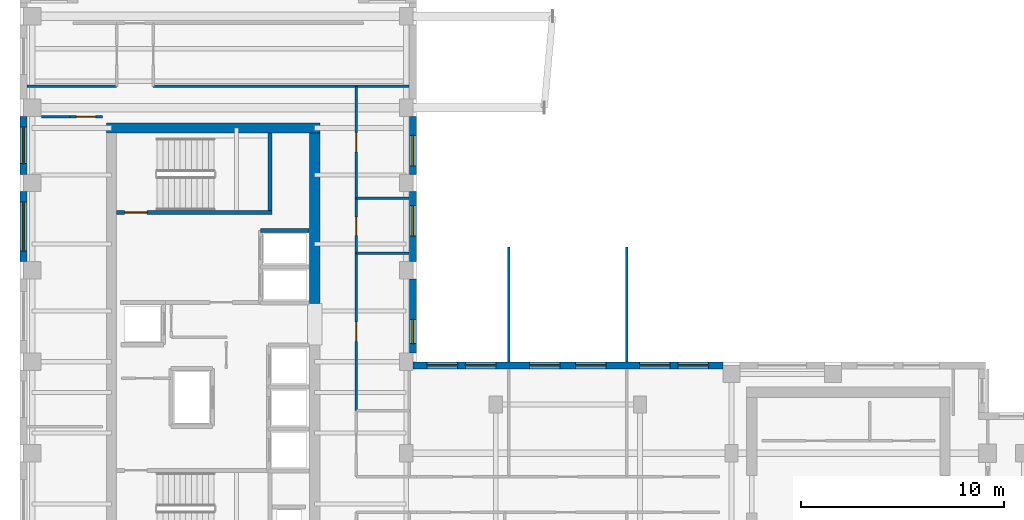
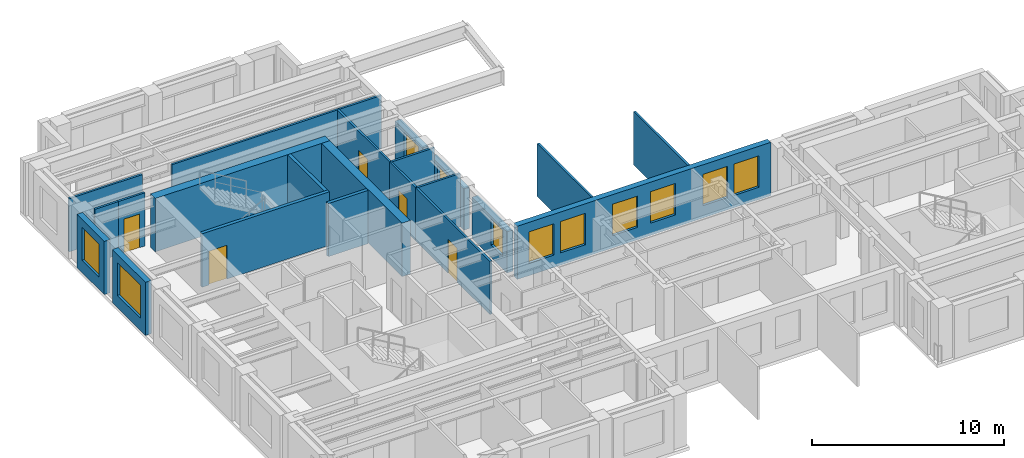
# One storey, part 6 of 11: 22 walls, 11 windows, 5 doors, 16 openings.
"""IFC4 building model written with IfcOpenShell, lengths in metres."""

from ifc_helpers import new_model, si_unit, direction, frame, frame_2d, origin, place, context, subcontext, project, spatial, rectangle, extrude, source, transform, mapped, material, layer, layer_set, type_object, element, fill, save


model = new_model("IFC4")

# Units and contexts
model_context = context("Model", 3, precision=1e-05, world=origin(), true_north=direction((0.0, 1.0)))
body_context = subcontext(model_context, "Body", "Model", "MODEL_VIEW")
ifc_project = project(units=[si_unit("LENGTHUNIT", "METRE"), si_unit("AREAUNIT", "SQUARE_METRE"), si_unit("VOLUMEUNIT", "CUBIC_METRE"), si_unit("PLANEANGLEUNIT", "RADIAN"), si_unit("MASSUNIT", "GRAM", prefix="KILO")], contexts=[model_context])

# Site, building, storey
site_placement = place(None, origin())
site = spatial("IfcSite", under=ifc_project, at=site_placement, CompositionType="ELEMENT")
building_placement = place(site_placement, origin())
building = spatial("IfcBuilding", under=site, at=building_placement, Name="Kharzan Plaza Tower", CompositionType="ELEMENT")
storey_placement = place(building_placement, frame((0.0, 0.0, 219.60009765625)))
storey = spatial("IfcBuildingStorey", under=building, at=storey_placement, Name="L59", CompositionType="ELEMENT", Elevation=219.60009765625)

# Wall, opening, window
ifc_material_1 = material(Name="Concrete C40/50", Category="concrete")
ifc_layer_1 = layer(ifc_material_1, 0.35009765625)
ifc_layer_set_1 = layer_set([ifc_layer_1], Name="Concrete C40/50")
wall_type_1 = type_object("IfcWallType", Name="WL-EXT-MAS-Z4", PredefinedType="SOLIDWALL", material=ifc_layer_set_1)
wall_1_placement = place(storey_placement, frame((0.175048828125, 30.076904296875, 0.0), z_axis=(0.0, 0.0, 1.0), x_axis=(0.0, -1.0, 0.0)))
wall_1 = element("IfcWall", 1, at=wall_1_placement, inside=storey, type_object=wall_type_1, Name="L59 Masonry-Frame Exterior Wall 11", PredefinedType="SOLIDWALL", context=body_context, shape_type="SweptSolid", body=[
    extrude(rectangle(XDim=2.85400390625, YDim=0.35009765625, at=frame_2d((1.427001953125, 0.0))), origin(), (0.0, 0.0, 1.0), 3.385009765625),
])
opening_1_placement = place(wall_1_placement, frame((0.527099609375, 0.0, 0.780029296875)))
opening_1 = element("IfcOpeningElement", 2, at=opening_1_placement, cuts=wall_1, Name="Opening W1", PredefinedType="OPENING", context=body_context, shape_type="SweptSolid", body=[
    extrude(rectangle(XDim=1.800048828125, YDim=2.10009765625, at=frame_2d((0.89990234375, 1.050048828125))), frame((0.0, 0.18505859375, 0.0), z_axis=(0.0, -1.0, 0.0), x_axis=(1.0, 0.0, 0.0)), (0.0, 0.0, 1.0), 0.3701171875),
])
ifc_material_2 = material(Name="Low-E Double Glazing", Category="glass")
window_type_1 = type_object("IfcWindowType", Name="WN-REC-1800x2100", PartitioningType="SINGLE_PANEL", PredefinedType="WINDOW", material=ifc_material_2)
shared_shape_1 = source(origin(), body_context, "Body", "SweptSolid", [
    extrude(rectangle(XDim=1.800048828125, YDim=2.10009765625, at=frame_2d((0.89990234375, 1.050048828125))), frame((0.0, 0.030029296875, 0.0), z_axis=(0.0, -1.0, 0.0), x_axis=(1.0, 0.0, 0.0)), (0.0, 0.0, 1.0), 0.06005859375),
])
window_1_placement = place(opening_1_placement, origin())
window_1 = element("IfcWindow", 3, at=window_1_placement, inside=storey, type_object=window_type_1, Name="L59 Recessed Solar-Control Window 11-1", OverallHeight=2.10009765625, OverallWidth=1.800048828125, PartitioningType="SINGLE_PANEL", PredefinedType="WINDOW", context=body_context, shape_type="MappedRepresentation", body=[
    mapped(shared_shape_1, transform((0.0, 0.0, 0.0), x_axis=(1.0, 0.0, 0.0), y_axis=(0.0, 1.0, 0.0), z_axis=(0.0, 0.0, 1.0))),
])
fill(opening_1, window_1)

wall_2_placement = place(storey_placement, frame((0.175048828125, 26.376953125, 0.0), z_axis=(0.0, 0.0, 1.0), x_axis=(0.0, -1.0, 0.0)))
wall_2 = element("IfcWall", 4, at=wall_2_placement, inside=storey, type_object=wall_type_1, Name="L59 Masonry-Frame Exterior Wall 12", PredefinedType="SOLIDWALL", context=body_context, shape_type="SweptSolid", body=[
    extrude(rectangle(XDim=3.453857421875, YDim=0.35009765625, at=frame_2d((1.72705078125, 0.0))), origin(), (0.0, 0.0, 1.0), 3.385009765625),
])
opening_2_placement = place(wall_2_placement, frame((0.527099609375, 0.0, 0.780029296875)))
opening_2 = element("IfcOpeningElement", 5, at=opening_2_placement, cuts=wall_2, Name="Opening W2", PredefinedType="OPENING", context=body_context, shape_type="SweptSolid", body=[
    extrude(rectangle(XDim=2.39990234375, YDim=2.10009765625, at=frame_2d((1.199951171875, 1.050048828125))), frame((0.0, 0.18505859375, 0.0), z_axis=(0.0, -1.0, 0.0), x_axis=(1.0, 0.0, 0.0)), (0.0, 0.0, 1.0), 0.3701171875),
])
window_type_2 = type_object("IfcWindowType", Name="WN-REC-2400x2100", PartitioningType="SINGLE_PANEL", PredefinedType="WINDOW", material=ifc_material_2)
shared_shape_2 = source(origin(), body_context, "Body", "SweptSolid", [
    extrude(rectangle(XDim=2.39990234375, YDim=2.10009765625, at=frame_2d((1.199951171875, 1.050048828125))), frame((0.0, 0.030029296875, 0.0), z_axis=(0.0, -1.0, 0.0), x_axis=(1.0, 0.0, 0.0)), (0.0, 0.0, 1.0), 0.06005859375),
])
window_2_placement = place(opening_2_placement, origin())
window_2 = element("IfcWindow", 6, at=window_2_placement, inside=storey, type_object=window_type_2, Name="L59 Wide Recessed Solar-Control Window 12-1", OverallHeight=2.10009765625, OverallWidth=2.39990234375, PartitioningType="SINGLE_PANEL", PredefinedType="WINDOW", context=body_context, shape_type="MappedRepresentation", body=[
    mapped(shared_shape_2, transform((0.0, 0.0, 0.0), x_axis=(1.0, 0.0, 0.0), y_axis=(0.0, 1.0, 0.0), z_axis=(0.0, 0.0, 1.0))),
])
fill(opening_2, window_2)

# Wall, openings, windows
wall_3_placement = place(storey_placement, frame((34.576904296875, 17.824951171875, 0.0), z_axis=(0.0, 0.0, 1.0), x_axis=(-1.0, 0.0, 0.0)))
wall_3 = element("IfcWall", 7, at=wall_3_placement, inside=storey, type_object=wall_type_1, Name="L59 Masonry-Frame Exterior Wall 41", PredefinedType="SOLIDWALL", context=body_context, shape_type="SweptSolid", body=[
    extrude(rectangle(XDim=15.25390625, YDim=0.35009765625, at=frame_2d((7.626953125, 0.0))), origin(), (0.0, 0.0, 1.0), 3.385009765625),
])
opening_3_placement = place(wall_3_placement, frame((0.705810546875, 0.0, 0.780029296875)))
opening_3 = element("IfcOpeningElement", 8, at=opening_3_placement, cuts=wall_3, Name="Opening W5", PredefinedType="OPENING", context=body_context, shape_type="SweptSolid", body=[
    extrude(rectangle(XDim=1.5, YDim=2.0, at=frame_2d((0.75, 1.0))), frame((0.0, 0.18505859375, 0.0), z_axis=(0.0, -1.0, 0.0), x_axis=(1.0, 0.0, 0.0)), (0.0, 0.0, 1.0), 0.3701171875),
])
opening_4_placement = place(wall_3_placement, frame((2.59130859375, 0.0, 0.780029296875)))
opening_4 = element("IfcOpeningElement", 9, at=opening_4_placement, cuts=wall_3, Name="Opening W5", PredefinedType="OPENING", context=body_context, shape_type="SweptSolid", body=[
    extrude(rectangle(XDim=1.5, YDim=2.0, at=frame_2d((0.75, 1.0))), frame((0.0, 0.18505859375, 0.0), z_axis=(0.0, -1.0, 0.0), x_axis=(1.0, 0.0, 0.0)), (0.0, 0.0, 1.0), 0.3701171875),
])
opening_5_placement = place(wall_3_placement, frame((5.74365234375, 0.0, 0.780029296875)))
opening_5 = element("IfcOpeningElement", 10, at=opening_5_placement, cuts=wall_3, Name="Opening W5", PredefinedType="OPENING", context=body_context, shape_type="SweptSolid", body=[
    extrude(rectangle(XDim=1.5, YDim=2.0, at=frame_2d((0.75, 1.0))), frame((0.0, 0.18505859375, 0.0), z_axis=(0.0, -1.0, 0.0), x_axis=(1.0, 0.0, 0.0)), (0.0, 0.0, 1.0), 0.3701171875),
])
opening_6_placement = place(wall_3_placement, frame((8.01025390625, 0.0, 0.780029296875)))
opening_6 = element("IfcOpeningElement", 11, at=opening_6_placement, cuts=wall_3, Name="Opening W5", PredefinedType="OPENING", context=body_context, shape_type="SweptSolid", body=[
    extrude(rectangle(XDim=1.5, YDim=2.0, at=frame_2d((0.75, 1.0))), frame((0.0, 0.18505859375, 0.0), z_axis=(0.0, -1.0, 0.0), x_axis=(1.0, 0.0, 0.0)), (0.0, 0.0, 1.0), 0.3701171875),
])
opening_7_placement = place(wall_3_placement, frame((11.16259765625, 0.0, 0.780029296875)))
opening_7 = element("IfcOpeningElement", 12, at=opening_7_placement, cuts=wall_3, Name="Opening W5", PredefinedType="OPENING", context=body_context, shape_type="SweptSolid", body=[
    extrude(rectangle(XDim=1.5, YDim=2.0, at=frame_2d((0.75, 1.0))), frame((0.0, 0.18505859375, 0.0), z_axis=(0.0, -1.0, 0.0), x_axis=(1.0, 0.0, 0.0)), (0.0, 0.0, 1.0), 0.3701171875),
])
opening_8_placement = place(wall_3_placement, frame((13.04833984375, 0.0, 0.780029296875)))
opening_8 = element("IfcOpeningElement", 13, at=opening_8_placement, cuts=wall_3, Name="Opening W5", PredefinedType="OPENING", context=body_context, shape_type="SweptSolid", body=[
    extrude(rectangle(XDim=1.5, YDim=2.0, at=frame_2d((0.75, 1.0))), frame((0.0, 0.18505859375, 0.0), z_axis=(0.0, -1.0, 0.0), x_axis=(1.0, 0.0, 0.0)), (0.0, 0.0, 1.0), 0.3701171875),
])
window_type_3 = type_object("IfcWindowType", Name="WN-SLT-1500x2000", PartitioningType="SINGLE_PANEL", PredefinedType="WINDOW", material=ifc_material_2)
shared_shape_3 = source(origin(), body_context, "Body", "SweptSolid", [
    extrude(rectangle(XDim=1.5, YDim=2.0, at=frame_2d((0.75, 1.0))), frame((0.0, 0.030029296875, 0.0), z_axis=(0.0, -1.0, 0.0), x_axis=(1.0, 0.0, 0.0)), (0.0, 0.0, 1.0), 0.06005859375),
])
window_3_placement = place(opening_3_placement, origin())
window_3 = element("IfcWindow", 14, at=window_3_placement, inside=storey, type_object=window_type_3, Name="L59 Recessed Solar-Control Window 41-1", OverallHeight=2.0, OverallWidth=1.5, PartitioningType="SINGLE_PANEL", PredefinedType="WINDOW", context=body_context, shape_type="MappedRepresentation", body=[
    mapped(shared_shape_3, transform((0.0, 0.0, 0.0), x_axis=(1.0, 0.0, 0.0), y_axis=(0.0, 1.0, 0.0), z_axis=(0.0, 0.0, 1.0))),
])
fill(opening_3, window_3)
window_4_placement = place(opening_4_placement, origin())
window_4 = element("IfcWindow", 15, at=window_4_placement, inside=storey, type_object=window_type_3, Name="L59 Recessed Solar-Control Window 41-2", OverallHeight=2.0, OverallWidth=1.5, PartitioningType="SINGLE_PANEL", PredefinedType="WINDOW", context=body_context, shape_type="MappedRepresentation", body=[
    mapped(shared_shape_3, transform((0.0, 0.0, 0.0), x_axis=(1.0, 0.0, 0.0), y_axis=(0.0, 1.0, 0.0), z_axis=(0.0, 0.0, 1.0))),
])
fill(opening_4, window_4)
window_5_placement = place(opening_5_placement, origin())
window_5 = element("IfcWindow", 16, at=window_5_placement, inside=storey, type_object=window_type_3, Name="L59 Recessed Solar-Control Window 41-3", OverallHeight=2.0, OverallWidth=1.5, PartitioningType="SINGLE_PANEL", PredefinedType="WINDOW", context=body_context, shape_type="MappedRepresentation", body=[
    mapped(shared_shape_3, transform((0.0, 0.0, 0.0), x_axis=(1.0, 0.0, 0.0), y_axis=(0.0, 1.0, 0.0), z_axis=(0.0, 0.0, 1.0))),
])
fill(opening_5, window_5)
window_6_placement = place(opening_6_placement, origin())
window_6 = element("IfcWindow", 17, at=window_6_placement, inside=storey, type_object=window_type_3, Name="L59 Recessed Solar-Control Window 41-4", OverallHeight=2.0, OverallWidth=1.5, PartitioningType="SINGLE_PANEL", PredefinedType="WINDOW", context=body_context, shape_type="MappedRepresentation", body=[
    mapped(shared_shape_3, transform((0.0, 0.0, 0.0), x_axis=(1.0, 0.0, 0.0), y_axis=(0.0, 1.0, 0.0), z_axis=(0.0, 0.0, 1.0))),
])
fill(opening_6, window_6)
window_7_placement = place(opening_7_placement, origin())
window_7 = element("IfcWindow", 18, at=window_7_placement, inside=storey, type_object=window_type_3, Name="L59 Recessed Solar-Control Window 41-5", OverallHeight=2.0, OverallWidth=1.5, PartitioningType="SINGLE_PANEL", PredefinedType="WINDOW", context=body_context, shape_type="MappedRepresentation", body=[
    mapped(shared_shape_3, transform((0.0, 0.0, 0.0), x_axis=(1.0, 0.0, 0.0), y_axis=(0.0, 1.0, 0.0), z_axis=(0.0, 0.0, 1.0))),
])
fill(opening_7, window_7)
window_8_placement = place(opening_8_placement, origin())
window_8 = element("IfcWindow", 19, at=window_8_placement, inside=storey, type_object=window_type_3, Name="L59 Recessed Solar-Control Window 41-6", OverallHeight=2.0, OverallWidth=1.5, PartitioningType="SINGLE_PANEL", PredefinedType="WINDOW", context=body_context, shape_type="MappedRepresentation", body=[
    mapped(shared_shape_3, transform((0.0, 0.0, 0.0), x_axis=(1.0, 0.0, 0.0), y_axis=(0.0, 1.0, 0.0), z_axis=(0.0, 0.0, 1.0))),
])
fill(opening_8, window_8)

# Wall, opening, window
wall_4_placement = place(storey_placement, frame((19.324951171875, 18.423095703125, 0.0), z_axis=(0.0, 0.0, 1.0), x_axis=(0.0, 1.0, 0.0)))
wall_4 = element("IfcWall", 20, at=wall_4_placement, inside=storey, type_object=wall_type_1, Name="L59 Masonry-Frame Exterior Wall 42", PredefinedType="SOLIDWALL", context=body_context, shape_type="SweptSolid", body=[
    extrude(rectangle(XDim=3.65380859375, YDim=0.35009765625, at=frame_2d((1.826904296875, 0.0))), origin(), (0.0, 0.0, 1.0), 2.618896484375),
])
opening_9_placement = place(wall_4_placement, frame((0.469970703125, 0.0, 0.780029296875)))
opening_9 = element("IfcOpeningElement", 21, at=opening_9_placement, cuts=wall_4, Name="Opening W3", PredefinedType="OPENING", context=body_context, shape_type="SweptSolid", body=[
    extrude(rectangle(XDim=1.199951171875, YDim=1.658935546875, at=frame_2d((0.60009765625, 0.82958984375))), frame((0.0, 0.18505859375, 0.0), z_axis=(0.0, -1.0, 0.0), x_axis=(1.0, 0.0, 0.0)), (0.0, 0.0, 1.0), 0.3701171875),
])
window_type_4 = type_object("IfcWindowType", Name="WN-REC-1200x2100", PartitioningType="SINGLE_PANEL", PredefinedType="WINDOW", material=ifc_material_2)
shared_shape_4 = source(origin(), body_context, "Body", "SweptSolid", [
    extrude(rectangle(XDim=1.199951171875, YDim=1.658935546875, at=frame_2d((0.60009765625, 0.82958984375))), frame((0.0, 0.030029296875, 0.0), z_axis=(0.0, -1.0, 0.0), x_axis=(1.0, 0.0, 0.0)), (0.0, 0.0, 1.0), 0.06005859375),
])
window_9_placement = place(opening_9_placement, origin())
window_9 = element("IfcWindow", 22, at=window_9_placement, inside=storey, type_object=window_type_4, Name="L59 Recessed Solar-Control Window 42-1", OverallHeight=1.658935546875, OverallWidth=1.199951171875, PartitioningType="SINGLE_PANEL", PredefinedType="WINDOW", context=body_context, shape_type="MappedRepresentation", body=[
    mapped(shared_shape_4, transform((0.0, 0.0, 0.0), x_axis=(1.0, 0.0, 0.0), y_axis=(0.0, 1.0, 0.0), z_axis=(0.0, 0.0, 1.0))),
])
fill(opening_9, window_9)

wall_5_placement = place(storey_placement, frame((19.324951171875, 22.923095703125, 0.0), z_axis=(0.0, 0.0, 1.0), x_axis=(0.0, 1.0, 0.0)))
wall_5 = element("IfcWall", 23, at=wall_5_placement, inside=storey, type_object=wall_type_1, Name="L59 Masonry-Frame Exterior Wall 43", PredefinedType="SOLIDWALL", context=body_context, shape_type="SweptSolid", body=[
    extrude(rectangle(XDim=3.453857421875, YDim=0.35009765625, at=frame_2d((1.72705078125, 0.0))), origin(), (0.0, 0.0, 1.0), 2.618896484375),
])
opening_10_placement = place(wall_5_placement, frame((1.255615234375, 0.0, 0.780029296875)))
opening_10 = element("IfcOpeningElement", 24, at=opening_10_placement, cuts=wall_5, Name="Opening W5", PredefinedType="OPENING", context=body_context, shape_type="SweptSolid", body=[
    extrude(rectangle(XDim=1.5, YDim=1.658935546875, at=frame_2d((0.75, 0.82958984375))), frame((0.0, 0.18505859375, 0.0), z_axis=(0.0, -1.0, 0.0), x_axis=(1.0, 0.0, 0.0)), (0.0, 0.0, 1.0), 0.3701171875),
])
shared_shape_5 = source(origin(), body_context, "Body", "SweptSolid", [
    extrude(rectangle(XDim=1.5, YDim=1.658935546875, at=frame_2d((0.75, 0.82958984375))), frame((0.0, 0.030029296875, 0.0), z_axis=(0.0, -1.0, 0.0), x_axis=(1.0, 0.0, 0.0)), (0.0, 0.0, 1.0), 0.06005859375),
])
window_10_placement = place(opening_10_placement, origin())
window_10 = element("IfcWindow", 25, at=window_10_placement, inside=storey, type_object=window_type_3, Name="L59 Recessed Solar-Control Window 43-1", OverallHeight=1.658935546875, OverallWidth=1.5, PartitioningType="SINGLE_PANEL", PredefinedType="WINDOW", context=body_context, shape_type="MappedRepresentation", body=[
    mapped(shared_shape_5, transform((0.0, 0.0, 0.0), x_axis=(1.0, 0.0, 0.0), y_axis=(0.0, 1.0, 0.0), z_axis=(0.0, 0.0, 1.0))),
])
fill(opening_10, window_10)

wall_6_placement = place(storey_placement, frame((19.324951171875, 27.222900390625, 0.0), z_axis=(0.0, 0.0, 1.0), x_axis=(0.0, 1.0, 0.0)))
wall_6 = element("IfcWall", 26, at=wall_6_placement, inside=storey, type_object=wall_type_1, Name="L59 Masonry-Frame Exterior Wall 44", PredefinedType="SOLIDWALL", context=body_context, shape_type="SweptSolid", body=[
    extrude(rectangle(XDim=2.85400390625, YDim=0.35009765625, at=frame_2d((1.427001953125, 0.0))), origin(), (0.0, 0.0, 1.0), 2.618896484375),
])
opening_11_placement = place(wall_6_placement, frame((0.411376953125, 0.0, 0.780029296875)))
opening_11 = element("IfcOpeningElement", 27, at=opening_11_placement, cuts=wall_6, Name="Opening W5", PredefinedType="OPENING", context=body_context, shape_type="SweptSolid", body=[
    extrude(rectangle(XDim=1.5, YDim=1.658935546875, at=frame_2d((0.75, 0.82958984375))), frame((0.0, 0.18505859375, 0.0), z_axis=(0.0, -1.0, 0.0), x_axis=(1.0, 0.0, 0.0)), (0.0, 0.0, 1.0), 0.3701171875),
])
window_11_placement = place(opening_11_placement, origin())
window_11 = element("IfcWindow", 28, at=window_11_placement, inside=storey, type_object=window_type_3, Name="L59 Recessed Solar-Control Window 44-1", OverallHeight=1.658935546875, OverallWidth=1.5, PartitioningType="SINGLE_PANEL", PredefinedType="WINDOW", context=body_context, shape_type="MappedRepresentation", body=[
    mapped(shared_shape_5, transform((0.0, 0.0, 0.0), x_axis=(1.0, 0.0, 0.0), y_axis=(0.0, 1.0, 0.0), z_axis=(0.0, 0.0, 1.0))),
])
fill(opening_11, window_11)

# Wall, opening, door
ifc_material_3 = material(Name="Fire-Rated Gypsum Board Partition", Category="gypsum")
ifc_layer_2 = layer(ifc_material_3, 0.125)
ifc_layer_set_2 = layer_set([ifc_layer_2], Name="Fire-Rated Gypsum Board Partition")
wall_type_2 = type_object("IfcWallType", Name="WL-INT-PART-125", PredefinedType="PARTITIONING", material=ifc_layer_set_2)
wall_7_placement = place(storey_placement, frame((16.550048828125, 15.60009765625, 0.0), z_axis=(0.0, 0.0, 1.0), x_axis=(0.0, 1.0, 0.0)))
wall_7 = element("IfcWall", 29, at=wall_7_placement, inside=storey, type_object=wall_type_2, Name="L59 Interior Partition SH-AEWN2", PredefinedType="PARTITIONING", context=body_context, shape_type="SweptSolid", body=[
    extrude(rectangle(XDim=7.75, YDim=0.125, at=frame_2d((3.875, 0.0))), origin(), (0.0, 0.0, 1.0), 3.385009765625),
])
opening_12_placement = place(wall_7_placement, frame((3.39990234375, 0.0, 0.0)))
opening_12 = element("IfcOpeningElement", 30, at=opening_12_placement, cuts=wall_7, Name="Opening OD1", PredefinedType="OPENING", context=body_context, shape_type="SweptSolid", body=[
    extrude(rectangle(XDim=0.949951171875, YDim=2.14990234375, at=frame_2d((0.47509765625, 1.074951171875))), frame((0.0, 0.072509765625, 0.0), z_axis=(0.0, -1.0, 0.0), x_axis=(1.0, 0.0, 0.0)), (0.0, 0.0, 1.0), 0.14501953125),
])
ifc_material_4 = material(Name="Acoustic Solid-Core Stained Oak", Category="timber")
door_type_1 = type_object("IfcDoorType", Name="DR-OFF-SINGLE", OperationType="NOTDEFINED", PredefinedType="DOOR", material=ifc_material_4)
shared_shape_6 = source(origin(), body_context, "Body", "SweptSolid", [
    extrude(rectangle(XDim=0.949951171875, YDim=2.14990234375, at=frame_2d((0.47509765625, 1.074951171875))), frame((0.0, 0.02490234375, 0.0), z_axis=(0.0, -1.0, 0.0), x_axis=(1.0, 0.0, 0.0)), (0.0, 0.0, 1.0), 0.050048828125),
])
door_1_placement = place(opening_12_placement, origin())
door_1 = element("IfcDoor", 31, at=door_1_placement, inside=storey, type_object=door_type_1, Name="L59 Slot Studio Door", OperationType="SINGLE_SWING_LEFT", OverallHeight=2.14990234375, OverallWidth=0.949951171875, PredefinedType="DOOR", context=body_context, shape_type="MappedRepresentation", body=[
    mapped(shared_shape_6, transform((0.0, 0.0, 0.0), x_axis=(1.0, 0.0, 0.0), y_axis=(0.0, 1.0, 0.0), z_axis=(0.0, 0.0, 1.0))),
])
fill(opening_12, door_1)

wall_8_placement = place(storey_placement, frame((16.550048828125, 26.050048828125, 0.0), z_axis=(0.0, 0.0, 1.0), x_axis=(0.0, 1.0, 0.0)))
wall_8 = element("IfcWall", 32, at=wall_8_placement, inside=storey, type_object=wall_type_2, Name="L59 Interior Partition SH-AEWN3", PredefinedType="PARTITIONING", context=body_context, shape_type="SweptSolid", body=[
    extrude(rectangle(XDim=5.5, YDim=0.125, at=frame_2d((2.75, 0.0))), origin(), (0.0, 0.0, 1.0), 3.385009765625),
])
opening_13_placement = place(wall_8_placement, frame((2.27490234375, 0.0, 0.0)))
opening_13 = element("IfcOpeningElement", 33, at=opening_13_placement, cuts=wall_8, Name="Opening OD1", PredefinedType="OPENING", context=body_context, shape_type="SweptSolid", body=[
    extrude(rectangle(XDim=0.949951171875, YDim=2.14990234375, at=frame_2d((0.47509765625, 1.074951171875))), frame((0.0, 0.072509765625, 0.0), z_axis=(0.0, -1.0, 0.0), x_axis=(1.0, 0.0, 0.0)), (0.0, 0.0, 1.0), 0.14501953125),
])
door_2_placement = place(opening_13_placement, origin())
door_2 = element("IfcDoor", 34, at=door_2_placement, inside=storey, type_object=door_type_1, Name="L59 Staff Tea Point Door", OperationType="SINGLE_SWING_LEFT", OverallHeight=2.14990234375, OverallWidth=0.949951171875, PredefinedType="DOOR", context=body_context, shape_type="MappedRepresentation", body=[
    mapped(shared_shape_6, transform((0.0, 0.0, 0.0), x_axis=(1.0, 0.0, 0.0), y_axis=(0.0, 1.0, 0.0), z_axis=(0.0, 0.0, 1.0))),
])
fill(opening_13, door_2)

wall_9_placement = place(storey_placement, frame((16.550048828125, 23.35009765625, 0.0), z_axis=(0.0, 0.0, 1.0), x_axis=(0.0, 1.0, 0.0)))
wall_9 = element("IfcWall", 35, at=wall_9_placement, inside=storey, type_object=wall_type_2, Name="L59 Interior Partition SH-AEWW", PredefinedType="PARTITIONING", context=body_context, shape_type="SweptSolid", body=[
    extrude(rectangle(XDim=2.699951171875, YDim=0.125, at=frame_2d((1.35009765625, 0.0))), origin(), (0.0, 0.0, 1.0), 3.385009765625),
])
opening_14_placement = place(wall_9_placement, frame((0.875, 0.0, 0.0)))
opening_14 = element("IfcOpeningElement", 36, at=opening_14_placement, cuts=wall_9, Name="Opening WD1", PredefinedType="OPENING", context=body_context, shape_type="SweptSolid", body=[
    extrude(rectangle(XDim=0.89990234375, YDim=2.14990234375, at=frame_2d((0.449951171875, 1.074951171875))), frame((0.0, 0.072509765625, 0.0), z_axis=(0.0, -1.0, 0.0), x_axis=(1.0, 0.0, 0.0)), (0.0, 0.0, 1.0), 0.14501953125),
])
ifc_material_5 = material(Name="Moisture-Resistant Fire-Rated Laminate", Category="timber")
door_type_2 = type_object("IfcDoorType", Name="DR-WC-900", OperationType="NOTDEFINED", PredefinedType="DOOR", material=ifc_material_5)
shared_shape_7 = source(origin(), body_context, "Body", "SweptSolid", [
    extrude(rectangle(XDim=0.89990234375, YDim=2.14990234375, at=frame_2d((0.449951171875, 1.074951171875))), frame((0.0, 0.02490234375, 0.0), z_axis=(0.0, -1.0, 0.0), x_axis=(1.0, 0.0, 0.0)), (0.0, 0.0, 1.0), 0.050048828125),
])
door_3_placement = place(opening_14_placement, origin())
door_3 = element("IfcDoor", 37, at=door_3_placement, inside=storey, type_object=door_type_2, Name="L59 Wing A Washroom Door", OperationType="SINGLE_SWING_RIGHT", OverallHeight=2.14990234375, OverallWidth=0.89990234375, PredefinedType="DOOR", context=body_context, shape_type="MappedRepresentation", body=[
    mapped(shared_shape_7, transform((0.0, 0.0, 0.0), x_axis=(1.0, 0.0, 0.0), y_axis=(0.0, 1.0, 0.0), z_axis=(0.0, 0.0, 1.0))),
])
fill(opening_14, door_3)

wall_10_placement = place(storey_placement, frame((2.449951171875, 30.050048828125, 0.0), z_axis=(0.0, 0.0, 1.0), x_axis=(1.0, 0.0, 0.0)))
wall_10 = element("IfcWall", 38, at=wall_10_placement, inside=storey, type_object=wall_type_2, Name="L59 Interior Partition SH-RWND", PredefinedType="PARTITIONING", context=body_context, shape_type="SweptSolid", body=[
    extrude(rectangle(XDim=1.60009765625, YDim=0.125, at=frame_2d((0.800048828125, 0.0))), origin(), (0.0, 0.0, 1.0), 3.385009765625),
])
opening_15_placement = place(wall_10_placement, frame((0.324951171875, 0.0, 0.0)))
opening_15 = element("IfcOpeningElement", 39, at=opening_15_placement, cuts=wall_10, Name="Opening OD1", PredefinedType="OPENING", context=body_context, shape_type="SweptSolid", body=[
    extrude(rectangle(XDim=0.949951171875, YDim=2.14990234375, at=frame_2d((0.47509765625, 1.074951171875))), frame((0.0, 0.072509765625, 0.0), z_axis=(0.0, -1.0, 0.0), x_axis=(1.0, 0.0, 0.0)), (0.0, 0.0, 1.0), 0.14501953125),
])
door_4_placement = place(opening_15_placement, origin())
door_4 = element("IfcDoor", 40, at=door_4_placement, inside=storey, type_object=door_type_1, Name="L59 West Office 2 Door", OperationType="SINGLE_SWING_LEFT", OverallHeight=2.14990234375, OverallWidth=0.949951171875, PredefinedType="DOOR", context=body_context, shape_type="MappedRepresentation", body=[
    mapped(shared_shape_6, transform((0.0, 0.0, 0.0), x_axis=(1.0, 0.0, 0.0), y_axis=(0.0, 1.0, 0.0), z_axis=(0.0, 0.0, 1.0))),
])
fill(opening_15, door_4)

ifc_material_6 = material(Name="Concrete C50/60", Category="concrete")
ifc_layer_3 = layer(ifc_material_6, 0.199951171875)
ifc_layer_set_3 = layer_set([ifc_layer_3], Name="Concrete C50/60")
wall_type_3 = type_object("IfcWallType", Name="WL-SHAFT-RC200", PredefinedType="SHEAR", material=ifc_layer_set_3)
wall_11_placement = place(storey_placement, frame((4.751953125, 25.344970703125, 0.0), z_axis=(0.0, 0.0, 1.0), x_axis=(1.0, 0.0, 0.0)))
wall_11 = element("IfcWall", 41, at=wall_11_placement, inside=storey, type_object=wall_type_3, Name="L59 Stair ST-2 South RC Shaft Wall", PredefinedType="SHEAR", context=body_context, shape_type="SweptSolid", body=[
    extrude(rectangle(XDim=7.653076171875, YDim=0.199951171875, at=frame_2d((3.82666015625, 0.0))), origin(), (0.0, 0.0, 1.0), 3.39990234375),
])
opening_16_placement = place(wall_11_placement, frame((0.39990234375, 0.0, 0.0)))
opening_16 = element("IfcOpeningElement", 42, at=opening_16_placement, cuts=wall_11, Name="Opening SD1", PredefinedType="OPENING", context=body_context, shape_type="SweptSolid", body=[
    extrude(rectangle(XDim=1.10009765625, YDim=2.14990234375, at=frame_2d((0.550048828125, 1.074951171875))), frame((0.0, 0.10986328125, 0.0), z_axis=(0.0, -1.0, 0.0), x_axis=(1.0, 0.0, 0.0)), (0.0, 0.0, 1.0), 0.219970703125),
])
ifc_material_7 = material(Name="Fire-Rated Hollow Galvanized Steel", Category="steel")
door_type_3 = type_object("IfcDoorType", Name="DR-STAIR-FD120", OperationType="NOTDEFINED", PredefinedType="DOOR", material=ifc_material_7)
shared_shape_8 = source(origin(), body_context, "Body", "SweptSolid", [
    extrude(rectangle(XDim=1.10009765625, YDim=2.14990234375, at=frame_2d((0.550048828125, 1.074951171875))), frame((0.0, 0.02490234375, 0.0), z_axis=(0.0, -1.0, 0.0), x_axis=(1.0, 0.0, 0.0)), (0.0, 0.0, 1.0), 0.050048828125),
])
door_5_placement = place(opening_16_placement, origin())
door_5 = element("IfcDoor", 43, at=door_5_placement, inside=storey, type_object=door_type_3, Name="L59 Stair ST-2 Fire Exit Door", OperationType="SINGLE_SWING_RIGHT", OverallHeight=2.14990234375, OverallWidth=1.10009765625, PredefinedType="DOOR", context=body_context, shape_type="MappedRepresentation", body=[
    mapped(shared_shape_8, transform((0.0, 0.0, 0.0), x_axis=(1.0, 0.0, 0.0), y_axis=(0.0, 1.0, 0.0), z_axis=(0.0, 0.0, 1.0))),
])
fill(opening_16, door_5)

# Walls
shared_shape_9 = source(origin(), body_context, "Body", "SweptSolid", [
    extrude(rectangle(XDim=2.597900390625, YDim=0.125, at=frame_2d((1.298828125, 0.0))), origin(), (0.0, 0.0, 1.0), 3.385009765625),
])
for number, where, z_axis, x_axis, name in (
    (44, (16.550048828125, 23.35009765625, 0.0), (0.0, 0.0, 1.0), (1.0, 0.0, 0.0), "L59 Interior Partition SH-AEH-233"),
    (45, (16.550048828125, 26.050048828125, 0.0), (0.0, 0.0, 1.0), (1.0, 0.0, 0.0), "L59 Interior Partition SH-AEH-260"),
):
    element("IfcWall", number, at=place(storey_placement, frame(where, z_axis=z_axis, x_axis=x_axis)), inside=storey, type_object=wall_type_2, Name=name, PredefinedType="PARTITIONING", context=body_context, shape_type="MappedRepresentation", body=[
        mapped(shared_shape_9, transform((0.0, 0.0, 0.0), x_axis=(1.0, 0.0, 0.0), y_axis=(0.0, 1.0, 0.0), z_axis=(0.0, 0.0, 1.0))),
    ])
shared_shape_10 = source(origin(), body_context, "Body", "SweptSolid", [
    extrude(rectangle(XDim=4.39794921875, YDim=0.125, at=frame_2d((2.198974609375, 0.0))), origin(), (0.0, 0.0, 1.0), 3.385009765625),
])
wall_12_placement = place(storey_placement, frame((0.35205078125, 31.550048828125, 0.0), z_axis=(0.0, 0.0, 1.0), x_axis=(1.0, 0.0, 0.0)))
element("IfcWall", 46, at=wall_12_placement, inside=storey, type_object=wall_type_2, Name="L59 Interior Partition SH-NNW", PredefinedType="PARTITIONING", context=body_context, shape_type="MappedRepresentation", body=[
    mapped(shared_shape_10, transform((0.0, 0.0, 0.0), x_axis=(1.0, 0.0, 0.0), y_axis=(0.0, 1.0, 0.0), z_axis=(0.0, 0.0, 1.0))),
])
shared_shape_11 = source(origin(), body_context, "Body", "SweptSolid", [
    extrude(rectangle(XDim=12.597900390625, YDim=0.125, at=frame_2d((6.298828125, 0.0))), origin(), (0.0, 0.0, 1.0), 3.385009765625),
])
wall_13_placement = place(storey_placement, frame((6.550048828125, 31.550048828125, 0.0), z_axis=(0.0, 0.0, 1.0), x_axis=(1.0, 0.0, 0.0)))
element("IfcWall", 47, at=wall_13_placement, inside=storey, type_object=wall_type_2, Name="L59 Interior Partition SH-NNE", PredefinedType="PARTITIONING", context=body_context, shape_type="MappedRepresentation", body=[
    mapped(shared_shape_11, transform((0.0, 0.0, 0.0), x_axis=(1.0, 0.0, 0.0), y_axis=(0.0, 1.0, 0.0), z_axis=(0.0, 0.0, 1.0))),
])
shared_shape_12 = source(origin(), body_context, "Body", "SweptSolid", [
    extrude(rectangle(XDim=5.64794921875, YDim=0.125, at=frame_2d((2.823974609375, 0.0))), origin(), (0.0, 0.0, 1.0), 3.385009765625),
])
for number, where, z_axis, x_axis, name in (
    (48, (24.050048828125, 18.001953125, 0.0), (0.0, 0.0, 1.0), (0.0, 1.0, 0.0), "L59 Interior Partition SH-SPML-S2"),
    (49, (29.85009765625, 18.001953125, 0.0), (0.0, 0.0, 1.0), (0.0, 1.0, 0.0), "L59 Interior Partition SH-SPMR-S2"),
):
    element("IfcWall", number, at=place(storey_placement, frame(where, z_axis=z_axis, x_axis=x_axis)), inside=storey, type_object=wall_type_2, Name=name, PredefinedType="PARTITIONING", context=body_context, shape_type="MappedRepresentation", body=[
        mapped(shared_shape_12, transform((0.0, 0.0, 0.0), x_axis=(1.0, 0.0, 0.0), y_axis=(0.0, 1.0, 0.0), z_axis=(0.0, 0.0, 1.0))),
    ])
ifc_layer_4 = layer(ifc_material_1, 0.199951171875)
ifc_layer_set_4 = layer_set([ifc_layer_4], Name="Concrete C40/50")
wall_type_4 = type_object("IfcWallType", Name="WL-INT-SHAFT-200", PredefinedType="PARTITIONING", material=ifc_layer_set_4)
shared_shape_13 = source(origin(), body_context, "Body", "SweptSolid", [
    extrude(rectangle(XDim=2.389892578125, YDim=0.199951171875, at=frame_2d((1.19482421875, 0.0))), origin(), (0.0, 0.0, 1.0), 3.385009765625),
])
wall_14_placement = place(storey_placement, frame((11.830078125, 24.4599609375, 0.0), z_axis=(0.0, 0.0, 1.0), x_axis=(1.0, 0.0, 0.0)))
element("IfcWall", 50, at=wall_14_placement, inside=storey, type_object=wall_type_4, Name="L59 Interior Partition SHF-FFL-2-N", PredefinedType="PARTITIONING", context=body_context, shape_type="MappedRepresentation", body=[
    mapped(shared_shape_13, transform((0.0, 0.0, 0.0), x_axis=(1.0, 0.0, 0.0), y_axis=(0.0, 1.0, 0.0), z_axis=(0.0, 0.0, 1.0))),
])
ifc_layer_5 = layer(ifc_material_6, 0.5)
ifc_layer_set_5 = layer_set([ifc_layer_5], Name="Concrete C50/60")
wall_type_5 = type_object("IfcWallType", Name="WL-CORE-500", PredefinedType="SHEAR", material=ifc_layer_set_5)
shared_shape_14 = source(origin(), body_context, "Body", "SweptSolid", [
    extrude(rectangle(XDim=8.3701171875, YDim=0.5, at=frame_2d((4.18505859375, 0.0))), origin(), (0.0, 0.0, 1.0), 3.39990234375),
])
wall_15_placement = place(storey_placement, frame((14.5, 20.8798828125, 0.0), z_axis=(0.0, 0.0, 1.0), x_axis=(0.0, 1.0, 0.0)))
element("IfcWall", 51, at=wall_15_placement, inside=storey, type_object=wall_type_5, Name="L59 CORE-A east shear pier 2", PredefinedType="SHEAR", context=body_context, shape_type="MappedRepresentation", body=[
    mapped(shared_shape_14, transform((0.0, 0.0, 0.0), x_axis=(1.0, 0.0, 0.0), y_axis=(0.0, 1.0, 0.0), z_axis=(0.0, 0.0, 1.0))),
])
shared_shape_15 = source(origin(), body_context, "Body", "SweptSolid", [
    extrude(rectangle(XDim=10.5, YDim=0.5, at=frame_2d((5.25, 0.0))), origin(), (0.0, 0.0, 1.0), 3.39990234375),
])
wall_16_placement = place(storey_placement, frame((4.25, 29.5, 0.0), z_axis=(0.0, 0.0, 1.0), x_axis=(1.0, 0.0, 0.0)))
element("IfcWall", 52, at=wall_16_placement, inside=storey, type_object=wall_type_5, Name="L59 CORE-A north RC shear wall", PredefinedType="SHEAR", context=body_context, shape_type="MappedRepresentation", body=[
    mapped(shared_shape_15, transform((0.0, 0.0, 0.0), x_axis=(1.0, 0.0, 0.0), y_axis=(0.0, 1.0, 0.0), z_axis=(0.0, 0.0, 1.0))),
])
shared_shape_16 = source(origin(), body_context, "Body", "SweptSolid", [
    extrude(rectangle(XDim=1.39990234375, YDim=0.125, at=frame_2d((0.699951171875, 0.0))), origin(), (0.0, 0.0, 1.0), 3.385009765625),
])
wall_17_placement = place(storey_placement, frame((1.050048828125, 30.050048828125, 0.0), z_axis=(0.0, 0.0, 1.0), x_axis=(1.0, 0.0, 0.0)))
element("IfcWall", 53, at=wall_17_placement, inside=storey, type_object=wall_type_2, Name="L59 Interior Partition SH-RWN0", PredefinedType="PARTITIONING", context=body_context, shape_type="MappedRepresentation", body=[
    mapped(shared_shape_16, transform((0.0, 0.0, 0.0), x_axis=(1.0, 0.0, 0.0), y_axis=(0.0, 1.0, 0.0), z_axis=(0.0, 0.0, 1.0))),
])
shared_shape_17 = source(origin(), body_context, "Body", "SweptSolid", [
    extrude(rectangle(XDim=3.802978515625, YDim=0.199951171875, at=frame_2d((1.9013671875, 0.0))), origin(), (0.0, 0.0, 1.0), 3.39990234375),
])
wall_18_placement = place(storey_placement, frame((12.304931640625, 25.445068359375, 0.0), z_axis=(0.0, 0.0, 1.0), x_axis=(0.0, 1.0, 0.0)))
element("IfcWall", 54, at=wall_18_placement, inside=storey, type_object=wall_type_3, Name="L59 Stair ST-2 East RC Shaft Wall", PredefinedType="SHEAR", context=body_context, shape_type="MappedRepresentation", body=[
    mapped(shared_shape_17, transform((0.0, 0.0, 0.0), x_axis=(1.0, 0.0, 0.0), y_axis=(0.0, 1.0, 0.0), z_axis=(0.0, 0.0, 1.0))),
])

save(model, "model.ifc")
